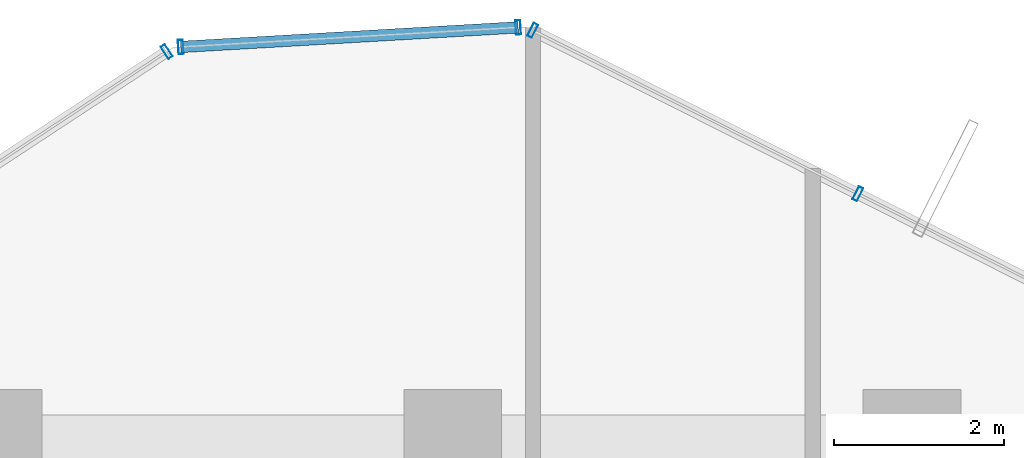
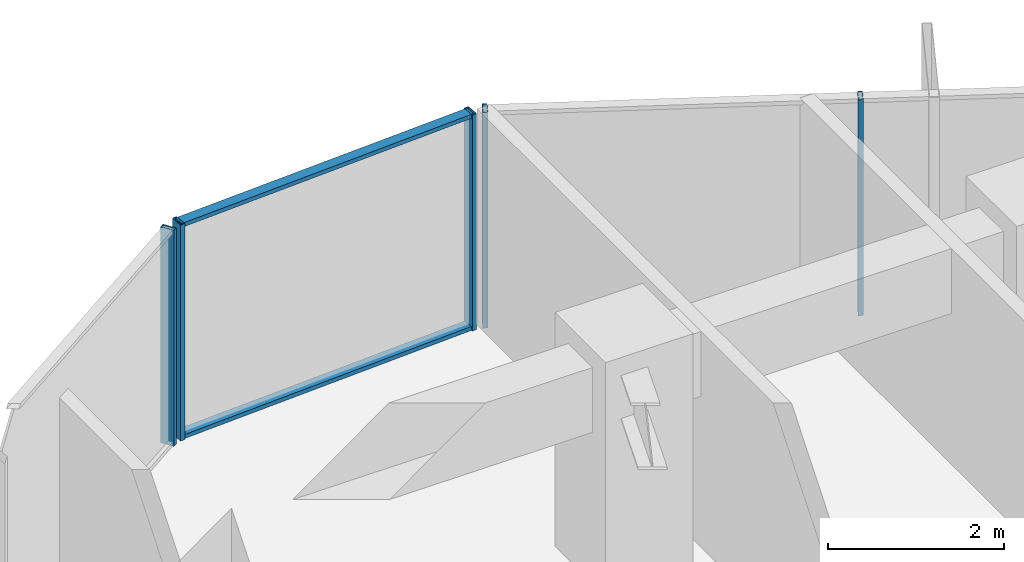
# One storey, part 25 of 33: 7 members, 3 elements without a shape of their own.
"""IFC4 building model written with IfcOpenShell, lengths in metres."""

from ifc_helpers import new_model, si_unit, direction, frame, origin, origin_2d, place, context, subcontext, project, spatial, hollow_rectangle, extrude, source, transform, mapped, material, layer, layer_set, material_profile, profile_set, type_object, element, aggregate, save


model = new_model("IFC4")

# Units and contexts
model_context = context("Model", 3, precision=1e-05, world=origin(), true_north=direction((0.0, 1.0)))
body_context = subcontext(model_context, "Body", "Model", "MODEL_VIEW")
ifc_project = project(units=[si_unit("LENGTHUNIT", "METRE"), si_unit("AREAUNIT", "SQUARE_METRE"), si_unit("VOLUMEUNIT", "CUBIC_METRE"), si_unit("PLANEANGLEUNIT", "RADIAN"), si_unit("MASSUNIT", "GRAM", prefix="KILO")], contexts=[model_context])

# Site, building, storey
site_placement = place(None, origin())
site = spatial("IfcSite", under=ifc_project, at=site_placement, CompositionType="ELEMENT")
building_placement = place(site_placement, origin())
building = spatial("IfcBuilding", under=site, at=building_placement, Name="Veraguas Prism Commons", CompositionType="ELEMENT")
storey_placement = place(building_placement, frame((0.0, 0.0, 139.25)))
storey = spatial("IfcBuildingStorey", under=building, at=storey_placement, Name="L39", CompositionType="ELEMENT", Elevation=139.25)

# Curtain wall, members
ifc_material = material(Name="Anodised aluminium EN AW-6063 T6", Category="aluminium")
ifc_layer = layer(ifc_material, 0.169921875, Name="Unitised Flush Curtain Wall Zone 2", Category="aluminium")
ifc_layer_set = layer_set([ifc_layer], Name="Anodised aluminium EN AW-6063 T6")
curtain_wall_type = type_object("IfcCurtainWallType", Name="Unitised Flush Curtain Wall Zone 2", PredefinedType="NOTDEFINED", material=ifc_layer_set)
curtain_wall_1_placement = place(storey_placement, origin())
curtain_wall_1 = element("IfcCurtainWall", 1, at=curtain_wall_1_placement, inside=storey, type_object=curtain_wall_type, Name="Tower Facade Curtain Wall L39-F1", PredefinedType="NOTDEFINED")
ifc_material_profile_1 = material_profile(ifc_material, hollow_rectangle(XDim=0.06005859375, YDim=0.169921875, WallThickness=0.00390625, at=origin_2d()), Name="AL60X170X4")
ifc_profile_set_1 = profile_set([ifc_material_profile_1], Name="Anodised aluminium EN AW-6063 T6")
member_type_1 = type_object("IfcMemberType", Name="Curtain Wall Mullion Lower AL 60x170x4", PredefinedType="MULLION", material=ifc_profile_set_1)
shared_shape_1 = source(origin(), body_context, "Body", "SweptSolid", [
    extrude(hollow_rectangle(XDim=0.06005859375, YDim=0.169921875, WallThickness=0.00390625, at=origin_2d()), origin(), (0.0, 0.0, 1.0), 3.0),
])
member_1_placement = place(storey_placement, frame((28.76318359375, 43.07470703125, 0.0), z_axis=(0.0, 0.0, 1.0), x_axis=(-0.893525824808, 0.449011804301, 0.0)))
member_1 = element("IfcMember", 2, at=member_1_placement, type_object=member_type_1, Name="CW-Z2 Mullion 4", PredefinedType="MULLION", context=body_context, shape_type="MappedRepresentation", body=[
    mapped(shared_shape_1, transform((0.0, 0.0, 0.0), scale=1.0)),
])
member_2_placement = place(storey_placement, frame((24.940185546875, 44.995849609375, 0.0), z_axis=(0.0, 0.0, 1.0), x_axis=(-0.893525824808, 0.449011804301, 0.0)))
member_2 = element("IfcMember", 3, at=member_2_placement, type_object=member_type_1, Name="CW-Z2 Mullion 5", PredefinedType="MULLION", context=body_context, shape_type="MappedRepresentation", body=[
    mapped(shared_shape_1, transform((0.0, 0.0, 0.0), scale=1.0)),
])
aggregate(curtain_wall_1, [member_1, member_2])

# Curtain wall, member
curtain_wall_2_placement = place(storey_placement, origin())
curtain_wall_2 = element("IfcCurtainWall", 4, at=curtain_wall_2_placement, inside=storey, type_object=curtain_wall_type, Name="Tower Facade Curtain Wall L39-F2", PredefinedType="NOTDEFINED")
member_3_placement = place(storey_placement, frame((20.638427734375, 44.746337890625, 0.0), z_axis=(0.0, 0.0, 1.0), x_axis=(-0.835619500254, -0.54930870264, 0.0)))
member_3 = element("IfcMember", 5, at=member_3_placement, type_object=member_type_1, Name="CW-Z2 Mullion 1", PredefinedType="MULLION", context=body_context, shape_type="MappedRepresentation", body=[
    mapped(shared_shape_1, transform((0.0, 0.0, 0.0), scale=1.0)),
])
aggregate(curtain_wall_2, [member_3])

# Curtain wall, members
curtain_wall_3_placement = place(storey_placement, origin())
curtain_wall_3 = element("IfcCurtainWall", 6, at=curtain_wall_3_placement, inside=storey, type_object=curtain_wall_type, Name="Chamfer Curtain Wall L39-C2", PredefinedType="NOTDEFINED")
member_4_placement = place(storey_placement, frame((24.769775390625, 45.031005859375, 0.0), z_axis=(0.0, 0.0, 1.0), x_axis=(-0.99832257172, -0.057896828874, 0.0)))
member_4 = element("IfcMember", 7, at=member_4_placement, type_object=member_type_1, Name="CW-Z2 Mullion 1", PredefinedType="MULLION", context=body_context, shape_type="MappedRepresentation", body=[
    mapped(shared_shape_1, transform((0.0, 0.0, 0.0), scale=1.0)),
])
member_5_placement = place(storey_placement, frame((20.803466796875, 44.801025390625, 0.0), z_axis=(0.0, 0.0, 1.0), x_axis=(-0.99832257172, -0.057896828874, 0.0)))
member_5 = element("IfcMember", 8, at=member_5_placement, type_object=member_type_1, Name="CW-Z2 Mullion 2", PredefinedType="MULLION", context=body_context, shape_type="MappedRepresentation", body=[
    mapped(shared_shape_1, transform((0.0, 0.0, 0.0), scale=1.0)),
])
ifc_material_profile_2 = material_profile(ifc_material, hollow_rectangle(XDim=0.054931640625, YDim=0.135009765625, WallThickness=0.0029296875, at=origin_2d()), Name="AL55X135X3")
ifc_profile_set_2 = profile_set([ifc_material_profile_2], Name="Anodised aluminium EN AW-6063 T6")
member_type_2 = type_object("IfcMemberType", Name="Curtain Wall Transom Standard AL 55x135x3", PredefinedType="USERDEFINED", material=ifc_profile_set_2)
shared_shape_2 = source(origin(), body_context, "Body", "SweptSolid", [
    extrude(hollow_rectangle(XDim=0.054931640625, YDim=0.135009765625, WallThickness=0.0029296875, at=origin_2d()), origin(), (0.0, 0.0, 1.0), 3.972900390625),
])
member_6_placement = place(storey_placement, frame((24.769775390625, 45.031005859375, 0.027587890625), z_axis=(-0.998323183672, -0.057886275946, 0.0), x_axis=(0.0, 0.0, 1.0)))
member_6 = element("IfcMember", 9, at=member_6_placement, type_object=member_type_2, Name="CW-Z2 Transom 1", ObjectType="TRANSOM", PredefinedType="USERDEFINED", context=body_context, shape_type="MappedRepresentation", body=[
    mapped(shared_shape_2, transform((0.0, 0.0, 0.0), scale=1.0)),
])
member_7_placement = place(storey_placement, frame((24.769775390625, 45.031005859375, 2.972412109375), z_axis=(-0.998323183672, -0.057886275946, 0.0), x_axis=(0.0, 0.0, 1.0)))
member_7 = element("IfcMember", 10, at=member_7_placement, type_object=member_type_2, Name="CW-Z2 Transom 2", ObjectType="TRANSOM", PredefinedType="USERDEFINED", context=body_context, shape_type="MappedRepresentation", body=[
    mapped(shared_shape_2, transform((0.0, 0.0, 0.0), scale=1.0)),
])
aggregate(curtain_wall_3, [member_4, member_5, member_6, member_7])

save(model, "model.ifc")
